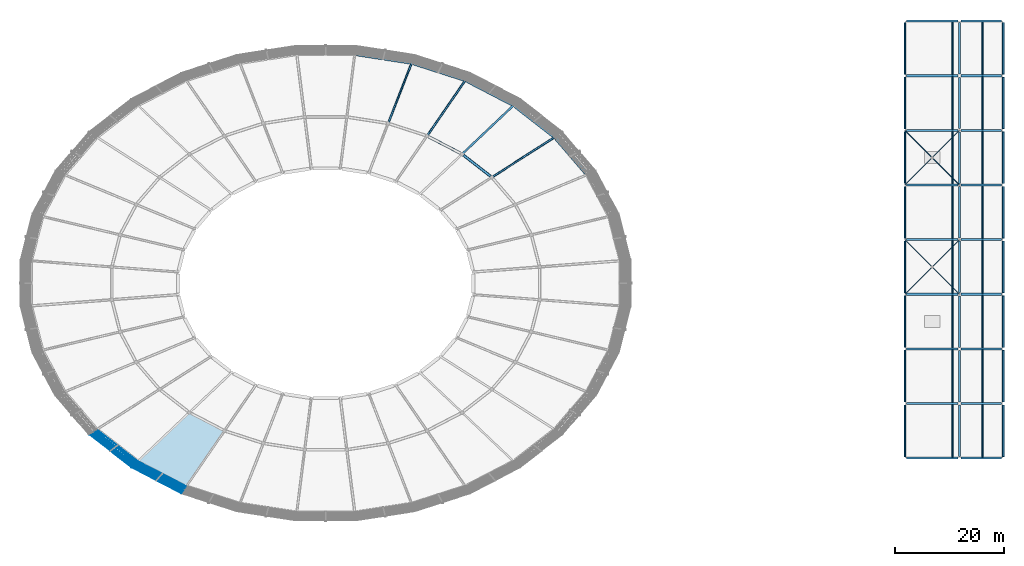
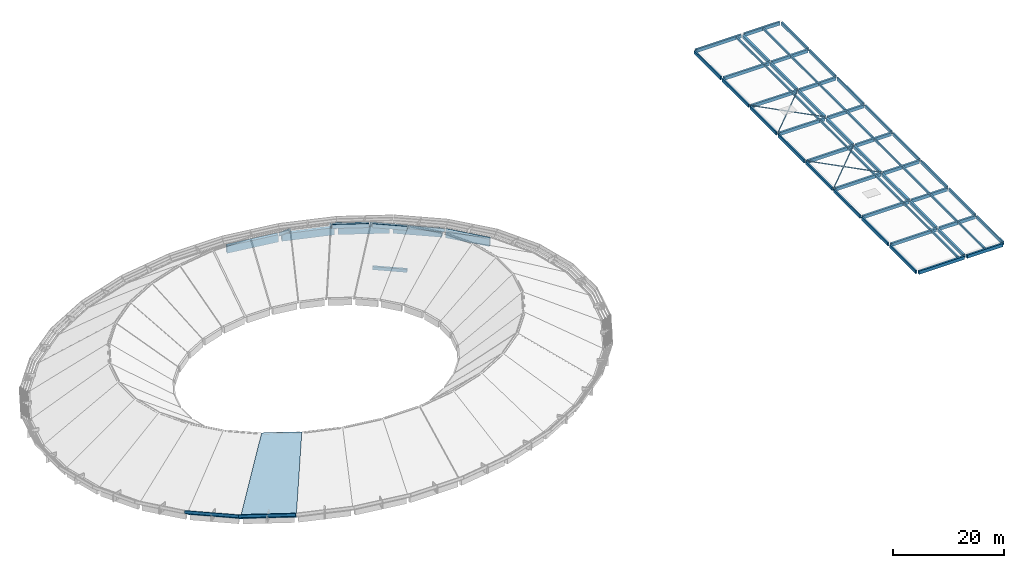
# One storey, part 4 of 15: 70 beams, 10 plates, 6 members, 1 slab.
"""IFC4 building model written with IfcOpenShell, lengths in metres."""

from ifc_helpers import new_model, si_unit, direction, frame, origin, origin_2d, place, context, subcontext, project, spatial, polyline, rectangle, hollow_circle, outline, extrude, material, layer, layer_set, material_profile, profile_set, type_object, element, save


model = new_model("IFC4")

# Units and contexts
model_context = context("Model", 3, precision=1e-05, world=origin(), true_north=direction((0.0, 1.0)))
body_context = subcontext(model_context, "Body", "Model", "MODEL_VIEW")
ifc_project = project(units=[si_unit("LENGTHUNIT", "METRE"), si_unit("AREAUNIT", "SQUARE_METRE"), si_unit("VOLUMEUNIT", "CUBIC_METRE"), si_unit("PLANEANGLEUNIT", "RADIAN"), si_unit("MASSUNIT", "GRAM", prefix="KILO")], contexts=[model_context])

# Site, building, storey
site_placement = place(None, origin())
site = spatial("IfcSite", under=ifc_project, at=site_placement, CompositionType="ELEMENT")
building_placement = place(site_placement, origin())
building = spatial("IfcBuilding", under=site, at=building_placement, Name="Corvandel Quay Wholesale Market", CompositionType="ELEMENT")
storey_placement = place(building_placement, frame((0.0, 0.0, 19.199951171875)))
storey = spatial("IfcBuildingStorey", under=building, at=storey_placement, Name="RF", CompositionType="ELEMENT", Elevation=19.199951171875)

# Members
ifc_material_1 = material(Name="Steel A500 Grade C", Category="steel")
ifc_material_profile_1 = material_profile(ifc_material_1, hollow_circle(Radius=0.070556640625, WallThickness=0.006103515625, at=origin_2d()), Name="HSS5.563X0.258")
ifc_profile_set_1 = profile_set([ifc_material_profile_1], Name="Steel A500 Grade C")
member_type = type_object("IfcMemberType", Name="Clerestory Lateral Brace BR07 CHS141", PredefinedType="BRACE", material=ifc_profile_set_1)
member_1_placement = place(storey_placement, frame((220.0, 40.0, -0.25), z_axis=(0.707106781187, 0.707106781187, 0.0), x_axis=(-0.707106781187, 0.707106781187, 0.0)))
element("IfcMember", 1, at=member_1_placement, inside=storey, type_object=member_type, Name="Member MEM-0133", PredefinedType="BRACE", context=body_context, shape_type="SweptSolid", body=[
    extrude(hollow_circle(Radius=0.070556640625, WallThickness=0.006103515625, at=origin_2d()), origin(), (0.0, 0.0, 1.0), 14.14208984375),
])
for number, where, z_axis, x_axis, name in (
    (2, (230.0, 40.0, -0.25), (-0.707106781187, 0.707106781187, 0.0), (-0.707106781187, -0.707106781187, 0.0), "Member MEM-0134"),
    (3, (224.932861328125, 45.067138671875, -0.25), (-0.707106781187, 0.707106781187, 0.0), (-0.707106781187, -0.707106781187, 0.0), "Member MEM-0134B"),
):
    element("IfcMember", number, at=place(storey_placement, frame(where, z_axis=z_axis, x_axis=x_axis)), inside=storey, type_object=member_type, Name=name, PredefinedType="BRACE", context=body_context, shape_type="SweptSolid", body=[
        extrude(hollow_circle(Radius=0.070556640625, WallThickness=0.006103515625, at=origin_2d()), origin(), (0.0, 0.0, 1.0), 6.97607421875),
    ])
member_2_placement = place(storey_placement, frame((220.0, 60.0, -0.25), z_axis=(0.707106781187, 0.707106781187, 0.0), x_axis=(-0.707106781187, 0.707106781187, 0.0)))
element("IfcMember", 4, at=member_2_placement, inside=storey, type_object=member_type, Name="Member MEM-0135", PredefinedType="BRACE", context=body_context, shape_type="SweptSolid", body=[
    extrude(hollow_circle(Radius=0.070556640625, WallThickness=0.006103515625, at=origin_2d()), origin(), (0.0, 0.0, 1.0), 14.14208984375),
])
for number, where, z_axis, x_axis, name in (
    (5, (230.0, 60.0, -0.25), (-0.707106781187, 0.707106781187, 0.0), (-0.707106781187, -0.707106781187, 0.0), "Member MEM-0136"),
    (6, (224.932861328125, 65.067138671875, -0.25), (-0.707106781187, 0.707106781187, 0.0), (-0.707106781187, -0.707106781187, 0.0), "Member MEM-0136B"),
):
    element("IfcMember", number, at=place(storey_placement, frame(where, z_axis=z_axis, x_axis=x_axis)), inside=storey, type_object=member_type, Name=name, PredefinedType="BRACE", context=body_context, shape_type="SweptSolid", body=[
        extrude(hollow_circle(Radius=0.070556640625, WallThickness=0.006103515625, at=origin_2d()), origin(), (0.0, 0.0, 1.0), 6.97607421875),
    ])

# Beams
ifc_material_2 = material(Name="Precast concrete C45/55", Category="concrete")
ifc_material_profile_2 = material_profile(ifc_material_2, rectangle(XDim=0.64990234375, YDim=1.60009765625, at=origin_2d()), Name="PC-RING-650x1600")
ifc_profile_set_2 = profile_set([ifc_material_profile_2], Name="Precast concrete C45/55")
beam_type_1 = type_object("IfcBeamType", Name="Outer Elliptical Shell Ring Beam RB01 650x1600", PredefinedType="USERDEFINED", material=ifc_profile_set_2)
beam_1_placement = place(storey_placement, frame((161.629150390625, 62.15576171875, -5.0), z_axis=(-0.651594924137, 0.758567106352, 0.0), x_axis=(-0.758567106352, -0.651594924137, 0.0)))
element("IfcBeam", 7, at=beam_1_placement, inside=storey, type_object=beam_type_1, Name="Beam BM-0037", ObjectType="GIRDER", PredefinedType="USERDEFINED", context=body_context, shape_type="SweptSolid", body=[
    extrude(rectangle(XDim=0.64990234375, YDim=1.60009765625, at=origin_2d()), origin(), (0.0, 0.0, 1.0), 8.378173828125),
])
beam_2_placement = place(storey_placement, frame((155.672607421875, 68.98486328125, -5.0), z_axis=(-0.789326934586, 0.613973118578, 0.0), x_axis=(-0.613973118578, -0.789326934586, 0.0)))
element("IfcBeam", 8, at=beam_2_placement, inside=storey, type_object=beam_type_1, Name="Beam BM-0050", ObjectType="GIRDER", PredefinedType="USERDEFINED", context=body_context, shape_type="SweptSolid", body=[
    extrude(rectangle(XDim=0.64990234375, YDim=1.60009765625, at=origin_2d()), origin(), (0.0, 0.0, 1.0), 8.839599609375),
])
beam_3_placement = place(storey_placement, frame((148.116943359375, 74.783203125, -5.0), z_axis=(-0.887349906091, 0.461096675503, 0.0), x_axis=(-0.461096675503, -0.887349906091, 0.0)))
element("IfcBeam", 9, at=beam_3_placement, inside=storey, type_object=beam_type_1, Name="Beam BM-0063", ObjectType="GIRDER", PredefinedType="USERDEFINED", context=body_context, shape_type="SweptSolid", body=[
    extrude(rectangle(XDim=0.64990234375, YDim=1.60009765625, at=origin_2d()), origin(), (0.0, 0.0, 1.0), 9.277099609375),
])
beam_4_placement = place(storey_placement, frame((139.25048828125, 79.32568359375, -5.0), z_axis=(-0.951825090042, 0.306641481158, 0.0), x_axis=(-0.306641481158, -0.951825090042, 0.0)))
element("IfcBeam", 10, at=beam_4_placement, inside=storey, type_object=beam_type_1, Name="Beam BM-0075", ObjectType="GIRDER", PredefinedType="USERDEFINED", context=body_context, shape_type="SweptSolid", body=[
    extrude(rectangle(XDim=0.64990234375, YDim=1.60009765625, at=origin_2d()), origin(), (0.0, 0.0, 1.0), 9.63525390625),
])
beam_5_placement = place(storey_placement, frame((129.41015625, 82.438720703125, -5.0), z_axis=(-0.988241749204, 0.152899460859, 0.0), x_axis=(-0.152899460859, -0.988241749204, 0.0)))
element("IfcBeam", 11, at=beam_5_placement, inside=storey, type_object=beam_type_1, Name="Beam BM-0088", ObjectType="GIRDER", PredefinedType="USERDEFINED", context=body_context, shape_type="SweptSolid", body=[
    extrude(rectangle(XDim=0.64990234375, YDim=1.60009765625, at=origin_2d()), origin(), (0.0, 0.0, 1.0), 9.8662109375),
])
ifc_material_profile_3 = material_profile(ifc_material_2, rectangle(XDim=0.35009765625, YDim=0.699951171875, at=origin_2d()), Name="PC-RIB-350x700")
ifc_profile_set_3 = profile_set([ifc_material_profile_3], Name="Precast concrete C45/55")
beam_type_2 = type_object("IfcBeamType", Name="Primary Radial Shell Arch Rib AR01 350x700", PredefinedType="BEAM", material=ifc_profile_set_3)
beam_6_placement = place(storey_placement, frame((148.423095703125, 74.6240234375, -4.52001953125), z_axis=(-0.591802925722, -0.560910058994, 0.578920722402), x_axis=(0.687909221922, -0.72579673628, 0.0)))
element("IfcBeam", 12, at=beam_6_placement, inside=storey, type_object=beam_type_2, Name="Beam BM-0407", PredefinedType="BEAM", context=body_context, shape_type="SweptSolid", body=[
    extrude(rectangle(XDim=0.35009765625, YDim=0.699951171875, at=origin_2d()), origin(), (0.0, 0.0, 1.0), 15.995361328125),
])
ifc_material_profile_4 = material_profile(ifc_material_2, rectangle(XDim=0.39990234375, YDim=0.699951171875, at=origin_2d()), Name="PC-GIR-400x700")
ifc_profile_set_4 = profile_set([ifc_material_profile_4], Name="Precast concrete C45/55")
beam_type_3 = type_object("IfcBeamType", Name="Roof Deck Primary Girder G07 400x700", PredefinedType="USERDEFINED", material=ifc_profile_set_4)
beam_7_placement = place(storey_placement, frame((144.157470703125, 61.607421875, -4.75), z_axis=(-0.789360606532, 0.613929827305, 0.0), x_axis=(-0.613929827305, -0.789360606532, 0.0)))
element("IfcBeam", 13, at=beam_7_placement, inside=storey, type_object=beam_type_3, Name="Beam BM-0052", ObjectType="GIRDER", PredefinedType="USERDEFINED", context=body_context, shape_type="SweptSolid", body=[
    extrude(rectangle(XDim=0.39990234375, YDim=0.699951171875, at=origin_2d()), origin(), (0.0, 0.0, 1.0), 6.26806640625),
])
beam_8_placement = place(storey_placement, frame((220.294921875, 10.0, -0.550048828125), z_axis=(1.0, 0.0, 0.0), x_axis=(0.0, 1.0, 0.0)))
element("IfcBeam", 14, at=beam_8_placement, inside=storey, type_object=beam_type_3, Name="Beam BM-1696", ObjectType="GIRDER", PredefinedType="USERDEFINED", context=body_context, shape_type="SweptSolid", body=[
    extrude(rectangle(XDim=0.39990234375, YDim=0.699951171875, at=origin_2d()), origin(), (0.0, 0.0, 1.0), 9.41015625),
])
beam_9_placement = place(storey_placement, frame((230.294921875, 10.0, -0.550048828125), z_axis=(1.0, 0.0, 0.0), x_axis=(0.0, 1.0, 0.0)))
element("IfcBeam", 15, at=beam_9_placement, inside=storey, type_object=beam_type_3, Name="Beam BM-1697", ObjectType="GIRDER", PredefinedType="USERDEFINED", context=body_context, shape_type="SweptSolid", body=[
    extrude(rectangle(XDim=0.39990234375, YDim=0.699951171875, at=origin_2d()), origin(), (0.0, 0.0, 1.0), 7.41015625),
])
beam_10_placement = place(storey_placement, frame((220.294921875, 20.0, -0.550048828125), z_axis=(1.0, 0.0, 0.0), x_axis=(0.0, 1.0, 0.0)))
element("IfcBeam", 16, at=beam_10_placement, inside=storey, type_object=beam_type_3, Name="Beam BM-1698", ObjectType="GIRDER", PredefinedType="USERDEFINED", context=body_context, shape_type="SweptSolid", body=[
    extrude(rectangle(XDim=0.39990234375, YDim=0.699951171875, at=origin_2d()), origin(), (0.0, 0.0, 1.0), 9.41015625),
])
beam_11_placement = place(storey_placement, frame((230.294921875, 20.0, -0.550048828125), z_axis=(1.0, 0.0, 0.0), x_axis=(0.0, 1.0, 0.0)))
element("IfcBeam", 17, at=beam_11_placement, inside=storey, type_object=beam_type_3, Name="Beam BM-1699", ObjectType="GIRDER", PredefinedType="USERDEFINED", context=body_context, shape_type="SweptSolid", body=[
    extrude(rectangle(XDim=0.39990234375, YDim=0.699951171875, at=origin_2d()), origin(), (0.0, 0.0, 1.0), 7.41015625),
])
beam_12_placement = place(storey_placement, frame((220.294921875, 30.0, -0.550048828125), z_axis=(1.0, 0.0, 0.0), x_axis=(0.0, 1.0, 0.0)))
element("IfcBeam", 18, at=beam_12_placement, inside=storey, type_object=beam_type_3, Name="Beam BM-1700", ObjectType="GIRDER", PredefinedType="USERDEFINED", context=body_context, shape_type="SweptSolid", body=[
    extrude(rectangle(XDim=0.39990234375, YDim=0.699951171875, at=origin_2d()), origin(), (0.0, 0.0, 1.0), 9.41015625),
])
beam_13_placement = place(storey_placement, frame((230.294921875, 30.0, -0.550048828125), z_axis=(1.0, 0.0, 0.0), x_axis=(0.0, 1.0, 0.0)))
element("IfcBeam", 19, at=beam_13_placement, inside=storey, type_object=beam_type_3, Name="Beam BM-1701", ObjectType="GIRDER", PredefinedType="USERDEFINED", context=body_context, shape_type="SweptSolid", body=[
    extrude(rectangle(XDim=0.39990234375, YDim=0.699951171875, at=origin_2d()), origin(), (0.0, 0.0, 1.0), 7.41015625),
])
beam_14_placement = place(storey_placement, frame((220.294921875, 40.0, -0.550048828125), z_axis=(1.0, 0.0, 0.0), x_axis=(0.0, 1.0, 0.0)))
element("IfcBeam", 20, at=beam_14_placement, inside=storey, type_object=beam_type_3, Name="Beam BM-1702", ObjectType="GIRDER", PredefinedType="USERDEFINED", context=body_context, shape_type="SweptSolid", body=[
    extrude(rectangle(XDim=0.39990234375, YDim=0.699951171875, at=origin_2d()), origin(), (0.0, 0.0, 1.0), 9.41015625),
])
beam_15_placement = place(storey_placement, frame((230.294921875, 40.0, -0.550048828125), z_axis=(1.0, 0.0, 0.0), x_axis=(0.0, 1.0, 0.0)))
element("IfcBeam", 21, at=beam_15_placement, inside=storey, type_object=beam_type_3, Name="Beam BM-1703", ObjectType="GIRDER", PredefinedType="USERDEFINED", context=body_context, shape_type="SweptSolid", body=[
    extrude(rectangle(XDim=0.39990234375, YDim=0.699951171875, at=origin_2d()), origin(), (0.0, 0.0, 1.0), 7.41015625),
])
beam_16_placement = place(storey_placement, frame((220.294921875, 50.0, -0.550048828125), z_axis=(1.0, 0.0, 0.0), x_axis=(0.0, 1.0, 0.0)))
element("IfcBeam", 22, at=beam_16_placement, inside=storey, type_object=beam_type_3, Name="Beam BM-1704", ObjectType="GIRDER", PredefinedType="USERDEFINED", context=body_context, shape_type="SweptSolid", body=[
    extrude(rectangle(XDim=0.39990234375, YDim=0.699951171875, at=origin_2d()), origin(), (0.0, 0.0, 1.0), 9.41015625),
])
beam_17_placement = place(storey_placement, frame((230.294921875, 50.0, -0.550048828125), z_axis=(1.0, 0.0, 0.0), x_axis=(0.0, 1.0, 0.0)))
element("IfcBeam", 23, at=beam_17_placement, inside=storey, type_object=beam_type_3, Name="Beam BM-1705", ObjectType="GIRDER", PredefinedType="USERDEFINED", context=body_context, shape_type="SweptSolid", body=[
    extrude(rectangle(XDim=0.39990234375, YDim=0.699951171875, at=origin_2d()), origin(), (0.0, 0.0, 1.0), 7.41015625),
])
beam_18_placement = place(storey_placement, frame((220.294921875, 60.0, -0.550048828125), z_axis=(1.0, 0.0, 0.0), x_axis=(0.0, 1.0, 0.0)))
element("IfcBeam", 24, at=beam_18_placement, inside=storey, type_object=beam_type_3, Name="Beam BM-1706", ObjectType="GIRDER", PredefinedType="USERDEFINED", context=body_context, shape_type="SweptSolid", body=[
    extrude(rectangle(XDim=0.39990234375, YDim=0.699951171875, at=origin_2d()), origin(), (0.0, 0.0, 1.0), 9.41015625),
])
beam_19_placement = place(storey_placement, frame((230.294921875, 60.0, -0.550048828125), z_axis=(1.0, 0.0, 0.0), x_axis=(0.0, 1.0, 0.0)))
element("IfcBeam", 25, at=beam_19_placement, inside=storey, type_object=beam_type_3, Name="Beam BM-1707", ObjectType="GIRDER", PredefinedType="USERDEFINED", context=body_context, shape_type="SweptSolid", body=[
    extrude(rectangle(XDim=0.39990234375, YDim=0.699951171875, at=origin_2d()), origin(), (0.0, 0.0, 1.0), 7.41015625),
])
beam_20_placement = place(storey_placement, frame((220.294921875, 70.0, -0.550048828125), z_axis=(1.0, 0.0, 0.0), x_axis=(0.0, 1.0, 0.0)))
element("IfcBeam", 26, at=beam_20_placement, inside=storey, type_object=beam_type_3, Name="Beam BM-1708", ObjectType="GIRDER", PredefinedType="USERDEFINED", context=body_context, shape_type="SweptSolid", body=[
    extrude(rectangle(XDim=0.39990234375, YDim=0.699951171875, at=origin_2d()), origin(), (0.0, 0.0, 1.0), 9.41015625),
])
beam_21_placement = place(storey_placement, frame((230.294921875, 70.0, -0.550048828125), z_axis=(1.0, 0.0, 0.0), x_axis=(0.0, 1.0, 0.0)))
element("IfcBeam", 27, at=beam_21_placement, inside=storey, type_object=beam_type_3, Name="Beam BM-1709", ObjectType="GIRDER", PredefinedType="USERDEFINED", context=body_context, shape_type="SweptSolid", body=[
    extrude(rectangle(XDim=0.39990234375, YDim=0.699951171875, at=origin_2d()), origin(), (0.0, 0.0, 1.0), 7.41015625),
])
beam_22_placement = place(storey_placement, frame((220.294921875, 80.0, -0.550048828125), z_axis=(1.0, 0.0, 0.0), x_axis=(0.0, 1.0, 0.0)))
element("IfcBeam", 28, at=beam_22_placement, inside=storey, type_object=beam_type_3, Name="Beam BM-1710", ObjectType="GIRDER", PredefinedType="USERDEFINED", context=body_context, shape_type="SweptSolid", body=[
    extrude(rectangle(XDim=0.39990234375, YDim=0.699951171875, at=origin_2d()), origin(), (0.0, 0.0, 1.0), 9.41015625),
])
beam_23_placement = place(storey_placement, frame((230.294921875, 80.0, -0.550048828125), z_axis=(1.0, 0.0, 0.0), x_axis=(0.0, 1.0, 0.0)))
element("IfcBeam", 29, at=beam_23_placement, inside=storey, type_object=beam_type_3, Name="Beam BM-1711", ObjectType="GIRDER", PredefinedType="USERDEFINED", context=body_context, shape_type="SweptSolid", body=[
    extrude(rectangle(XDim=0.39990234375, YDim=0.699951171875, at=origin_2d()), origin(), (0.0, 0.0, 1.0), 7.41015625),
])
beam_24_placement = place(storey_placement, frame((220.294921875, 90.0, -0.550048828125), z_axis=(1.0, 0.0, 0.0), x_axis=(0.0, 1.0, 0.0)))
element("IfcBeam", 30, at=beam_24_placement, inside=storey, type_object=beam_type_3, Name="Beam BM-1712", ObjectType="GIRDER", PredefinedType="USERDEFINED", context=body_context, shape_type="SweptSolid", body=[
    extrude(rectangle(XDim=0.39990234375, YDim=0.699951171875, at=origin_2d()), origin(), (0.0, 0.0, 1.0), 9.41015625),
])
beam_25_placement = place(storey_placement, frame((230.294921875, 90.0, -0.550048828125), z_axis=(1.0, 0.0, 0.0), x_axis=(0.0, 1.0, 0.0)))
element("IfcBeam", 31, at=beam_25_placement, inside=storey, type_object=beam_type_3, Name="Beam BM-1713", ObjectType="GIRDER", PredefinedType="USERDEFINED", context=body_context, shape_type="SweptSolid", body=[
    extrude(rectangle(XDim=0.39990234375, YDim=0.699951171875, at=origin_2d()), origin(), (0.0, 0.0, 1.0), 7.41015625),
])
for number, where, z_axis, x_axis, name in (
    (32, (230.0, 10.294921875, -0.550048828125), (0.0, 1.0, 0.0), (-1.0, 0.0, 0.0), "Beam BM-1722"),
    (33, (230.0, 20.294921875, -0.550048828125), (0.0, 1.0, 0.0), (-1.0, 0.0, 0.0), "Beam BM-1723"),
    (34, (230.0, 30.294921875, -0.550048828125), (0.0, 1.0, 0.0), (-1.0, 0.0, 0.0), "Beam BM-1724"),
    (35, (230.0, 40.294921875, -0.550048828125), (0.0, 1.0, 0.0), (-1.0, 0.0, 0.0), "Beam BM-1725"),
    (36, (230.0, 50.294921875, -0.550048828125), (0.0, 1.0, 0.0), (-1.0, 0.0, 0.0), "Beam BM-1726"),
    (37, (230.0, 60.294921875, -0.550048828125), (0.0, 1.0, 0.0), (-1.0, 0.0, 0.0), "Beam BM-1727"),
    (38, (230.0, 70.294921875, -0.550048828125), (0.0, 1.0, 0.0), (-1.0, 0.0, 0.0), "Beam BM-1728"),
    (39, (230.0, 80.294921875, -0.550048828125), (0.0, 1.0, 0.0), (-1.0, 0.0, 0.0), "Beam BM-1729"),
):
    element("IfcBeam", number, at=place(storey_placement, frame(where, z_axis=z_axis, x_axis=x_axis)), inside=storey, type_object=beam_type_3, Name=name, ObjectType="GIRDER", PredefinedType="USERDEFINED", context=body_context, shape_type="SweptSolid", body=[
        extrude(rectangle(XDim=0.39990234375, YDim=0.699951171875, at=origin_2d()), origin(), (0.0, 0.0, 1.0), 9.41015625),
    ])
ifc_material_profile_5 = material_profile(ifc_material_2, rectangle(XDim=0.280029296875, YDim=0.449951171875, at=origin_2d()), Name="PC-BM-280x450")
ifc_profile_set_5 = profile_set([ifc_material_profile_5], Name="Precast concrete C45/55")
beam_type_4 = type_object("IfcBeamType", Name="Roof Secondary Beam B05 280x450", PredefinedType="BEAM", material=ifc_profile_set_5)
for number, where, z_axis, x_axis, name in (
    (40, (228.699951171875, 10.18994140625, -0.425048828125), (0.0, 1.0, 0.0), (-1.0, 0.0, 0.0), "Beam BM-1738"),
    (41, (234.199951171875, 10.18994140625, -0.425048828125), (0.0, 1.0, 0.0), (-1.0, 0.0, 0.0), "Beam BM-1739"),
    (42, (228.699951171875, 20.18994140625, -0.425048828125), (0.0, 1.0, 0.0), (-1.0, 0.0, 0.0), "Beam BM-1740"),
    (43, (234.199951171875, 20.18994140625, -0.425048828125), (0.0, 1.0, 0.0), (-1.0, 0.0, 0.0), "Beam BM-1741"),
    (44, (228.699951171875, 30.18994140625, -0.425048828125), (0.0, 1.0, 0.0), (-1.0, 0.0, 0.0), "Beam BM-1742"),
    (45, (234.199951171875, 30.18994140625, -0.425048828125), (0.0, 1.0, 0.0), (-1.0, 0.0, 0.0), "Beam BM-1743"),
    (46, (228.699951171875, 40.18994140625, -0.425048828125), (0.0, 1.0, 0.0), (-1.0, 0.0, 0.0), "Beam BM-1744"),
    (47, (234.199951171875, 40.18994140625, -0.425048828125), (0.0, 1.0, 0.0), (-1.0, 0.0, 0.0), "Beam BM-1745"),
    (48, (228.699951171875, 50.18994140625, -0.425048828125), (0.0, 1.0, 0.0), (-1.0, 0.0, 0.0), "Beam BM-1746"),
    (49, (234.199951171875, 50.18994140625, -0.425048828125), (0.0, 1.0, 0.0), (-1.0, 0.0, 0.0), "Beam BM-1747"),
    (50, (228.699951171875, 60.18994140625, -0.425048828125), (0.0, 1.0, 0.0), (-1.0, 0.0, 0.0), "Beam BM-1748"),
    (51, (234.199951171875, 60.18994140625, -0.425048828125), (0.0, 1.0, 0.0), (-1.0, 0.0, 0.0), "Beam BM-1749"),
    (52, (228.699951171875, 70.18994140625, -0.425048828125), (0.0, 1.0, 0.0), (-1.0, 0.0, 0.0), "Beam BM-1750"),
    (53, (234.199951171875, 70.18994140625, -0.425048828125), (0.0, 1.0, 0.0), (-1.0, 0.0, 0.0), "Beam BM-1751"),
    (54, (228.699951171875, 80.18994140625, -0.425048828125), (0.0, 1.0, 0.0), (-1.0, 0.0, 0.0), "Beam BM-1752"),
    (55, (234.199951171875, 80.18994140625, -0.425048828125), (0.0, 1.0, 0.0), (-1.0, 0.0, 0.0), "Beam BM-1753"),
):
    element("IfcBeam", number, at=place(storey_placement, frame(where, z_axis=z_axis, x_axis=x_axis)), inside=storey, type_object=beam_type_4, Name=name, PredefinedType="BEAM", context=body_context, shape_type="SweptSolid", body=[
        extrude(rectangle(XDim=0.280029296875, YDim=0.449951171875, at=origin_2d()), origin(), (0.0, 0.0, 1.0), 9.6201171875),
    ])
ifc_material_profile_6 = material_profile(ifc_material_2, rectangle(XDim=0.300048828125, YDim=0.60009765625, at=origin_2d()), Name="PC-RIB-300x600")
ifc_profile_set_6 = profile_set([ifc_material_profile_6], Name="Precast concrete C45/55")
beam_type_5 = type_object("IfcBeamType", Name="Secondary Radial Shell Arch Rib AR02 300x600", PredefinedType="BEAM", material=ifc_profile_set_6)
beam_26_placement = place(storey_placement, frame((155.945068359375, 68.77294921875, -4.469970703125), z_axis=(-0.698129767083, -0.445566016051, 0.560433540799), x_axis=(0.537993647412, -0.842948892486, 0.0)))
element("IfcBeam", 56, at=beam_26_placement, inside=storey, type_object=beam_type_5, Name="Beam BM-0404", PredefinedType="BEAM", context=body_context, shape_type="SweptSolid", body=[
    extrude(rectangle(XDim=0.300048828125, YDim=0.60009765625, at=origin_2d()), origin(), (0.0, 0.0, 1.0), 16.52294921875),
])
beam_27_placement = place(storey_placement, frame((139.5791015625, 79.219970703125, -4.469970703125), z_axis=(-0.454099768617, -0.66071075093, 0.597707874926), x_axis=(0.824122782292, -0.566411193134, 0.0)))
element("IfcBeam", 57, at=beam_27_placement, inside=storey, type_object=beam_type_5, Name="Beam BM-0410", PredefinedType="BEAM", context=body_context, shape_type="SweptSolid", body=[
    extrude(rectangle(XDim=0.300048828125, YDim=0.60009765625, at=origin_2d()), origin(), (0.0, 0.0, 1.0), 15.492431640625),
])
beam_28_placement = place(storey_placement, frame((129.7509765625, 82.385986328125, -4.469970703125), z_axis=(-0.286926700723, -0.735755107998, 0.613463519263), x_axis=(0.931662181127, -0.363325721987, 0.0)))
element("IfcBeam", 58, at=beam_28_placement, inside=storey, type_object=beam_type_5, Name="Beam BM-0413", PredefinedType="BEAM", context=body_context, shape_type="SweptSolid", body=[
    extrude(rectangle(XDim=0.300048828125, YDim=0.60009765625, at=origin_2d()), origin(), (0.0, 0.0, 1.0), 15.0947265625),
])
ifc_material_profile_7 = material_profile(ifc_material_2, rectangle(XDim=0.5, YDim=0.89990234375, at=origin_2d()), Name="PC-RING-500x900")
ifc_profile_set_7 = profile_set([ifc_material_profile_7], Name="Precast concrete C45/55")
beam_type_6 = type_object("IfcBeamType", Name="Shell Crown Compression Ring RB03 500x900", PredefinedType="USERDEFINED", material=ifc_profile_set_7)
beam_29_placement = place(storey_placement, frame((144.157470703125, 61.607421875, 4.610107421875), z_axis=(-0.789360606532, 0.613929827305, 0.0), x_axis=(-0.613929827305, -0.789360606532, 0.0)))
element("IfcBeam", 59, at=beam_29_placement, inside=storey, type_object=beam_type_6, Name="Beam BM-0403", ObjectType="GIRDER", PredefinedType="USERDEFINED", context=body_context, shape_type="SweptSolid", body=[
    extrude(rectangle(XDim=0.5, YDim=0.89990234375, at=origin_2d()), origin(), (0.0, 0.0, 1.0), 6.26806640625),
])
beam_30_placement = place(storey_placement, frame((138.673095703125, 65.799560546875, 4.610107421875), z_axis=(-0.88738119792, 0.461036451463, 0.0), x_axis=(-0.461036451463, -0.88738119792, 0.0)))
element("IfcBeam", 60, at=beam_30_placement, inside=storey, type_object=beam_type_6, Name="Beam BM-0406", ObjectType="GIRDER", PredefinedType="USERDEFINED", context=body_context, shape_type="SweptSolid", body=[
    extrude(rectangle(XDim=0.5, YDim=0.89990234375, at=origin_2d()), origin(), (0.0, 0.0, 1.0), 6.587158203125),
])
ifc_material_profile_8 = material_profile(ifc_material_2, rectangle(XDim=0.300048828125, YDim=0.699951171875, at=origin_2d()), Name="PC-SPN-300x700")
ifc_profile_set_8 = profile_set([ifc_material_profile_8], Name="Precast concrete C45/55")
beam_type_7 = type_object("IfcBeamType", Name="Terrace Edge Spandrel SP03 300x700", PredefinedType="SPANDREL", material=ifc_profile_set_8)
for number, where, z_axis, x_axis, name in (
    (61, (220.0, 10.294921875, -0.550048828125), (0.0, 1.0, 0.0), (-1.0, 0.0, 0.0), "Beam BM-1714"),
    (62, (220.0, 20.294921875, -0.550048828125), (0.0, 1.0, 0.0), (-1.0, 0.0, 0.0), "Beam BM-1715"),
    (63, (220.0, 30.294921875, -0.550048828125), (0.0, 1.0, 0.0), (-1.0, 0.0, 0.0), "Beam BM-1716"),
    (64, (220.0, 40.294921875, -0.550048828125), (0.0, 1.0, 0.0), (-1.0, 0.0, 0.0), "Beam BM-1717"),
    (65, (220.0, 50.294921875, -0.550048828125), (0.0, 1.0, 0.0), (-1.0, 0.0, 0.0), "Beam BM-1718"),
    (66, (220.0, 60.294921875, -0.550048828125), (0.0, 1.0, 0.0), (-1.0, 0.0, 0.0), "Beam BM-1719"),
    (67, (220.0, 70.294921875, -0.550048828125), (0.0, 1.0, 0.0), (-1.0, 0.0, 0.0), "Beam BM-1720"),
    (68, (220.0, 80.294921875, -0.550048828125), (0.0, 1.0, 0.0), (-1.0, 0.0, 0.0), "Beam BM-1721"),
    (69, (238.0, 10.294921875, -0.550048828125), (0.0, 1.0, 0.0), (-1.0, 0.0, 0.0), "Beam BM-1730"),
    (70, (238.0, 20.294921875, -0.550048828125), (0.0, 1.0, 0.0), (-1.0, 0.0, 0.0), "Beam BM-1731"),
    (71, (238.0, 30.294921875, -0.550048828125), (0.0, 1.0, 0.0), (-1.0, 0.0, 0.0), "Beam BM-1732"),
    (72, (238.0, 40.294921875, -0.550048828125), (0.0, 1.0, 0.0), (-1.0, 0.0, 0.0), "Beam BM-1733"),
    (73, (238.0, 50.294921875, -0.550048828125), (0.0, 1.0, 0.0), (-1.0, 0.0, 0.0), "Beam BM-1734"),
    (74, (238.0, 60.294921875, -0.550048828125), (0.0, 1.0, 0.0), (-1.0, 0.0, 0.0), "Beam BM-1735"),
    (75, (238.0, 70.294921875, -0.550048828125), (0.0, 1.0, 0.0), (-1.0, 0.0, 0.0), "Beam BM-1736"),
    (76, (238.0, 80.294921875, -0.550048828125), (0.0, 1.0, 0.0), (-1.0, 0.0, 0.0), "Beam BM-1737"),
):
    element("IfcBeam", number, at=place(storey_placement, frame(where, z_axis=z_axis, x_axis=x_axis)), inside=storey, type_object=beam_type_7, Name=name, PredefinedType="SPANDREL", context=body_context, shape_type="SweptSolid", body=[
        extrude(rectangle(XDim=0.300048828125, YDim=0.699951171875, at=origin_2d()), origin(), (0.0, 0.0, 1.0), 9.41015625),
    ])

# Plates
ifc_material_3 = material(Name="Architectural white precast concrete C45/55", Category="concrete")
ifc_layer_1 = layer(ifc_material_3, 0.090087890625)
ifc_layer_set_1 = layer_set([ifc_layer_1], Name="Architectural white precast concrete C45/55")
plate_type_1 = type_object("IfcPlateType", Name="Stepped White Precast Shell Fascia Band FP01", PredefinedType="SHEET", material=ifc_layer_set_1)
plate_1_placement = place(storey_placement, frame((75.81591796875, 12.301513671875, -4.8798828125), z_axis=(0.0, 0.0, 1.0), x_axis=(-0.789298462742, 0.614009720373, 0.0)))
element("IfcPlate", 77, at=plate_1_placement, inside=storey, type_object=plate_type_1, Name="Stepped Shell Rim Fascia FP-0020", PredefinedType="SHEET", context=body_context, shape_type="SweptSolid", body=[
    extrude(rectangle(XDim=9.469970703125, YDim=0.090087890625, at=origin_2d()), origin(), (0.0, 0.0, 1.0), 0.4599609375),
])
plate_2_placement = place(storey_placement, frame((83.9990234375, 7.077880859375, -4.8798828125), z_axis=(0.0, 0.0, 1.0), x_axis=(-0.887332978338, 0.461129250378, 0.0)))
element("IfcPlate", 78, at=plate_2_placement, inside=storey, type_object=plate_type_1, Name="Stepped Shell Rim Fascia FP-0021", PredefinedType="SHEET", context=body_context, shape_type="SweptSolid", body=[
    extrude(rectangle(XDim=9.906982421875, YDim=0.090087890625, at=origin_2d()), origin(), (0.0, 0.0, 1.0), 0.4599609375),
])
ifc_layer_2 = layer(ifc_material_3, 0.10009765625)
ifc_layer_set_2 = layer_set([ifc_layer_2], Name="Architectural white precast concrete C45/55")
plate_type_2 = type_object("IfcPlateType", Name="Stepped White Precast Shell Fascia Band FP02", PredefinedType="SHEET", material=ifc_layer_set_2)
plate_3_placement = place(storey_placement, frame((75.510986328125, 12.0634765625, -4.56005859375), z_axis=(0.0, 0.0, 1.0), x_axis=(-0.789405615633, 0.613871952452, 0.0)))
element("IfcPlate", 79, at=plate_3_placement, inside=storey, type_object=plate_type_2, Name="Stepped Shell Rim Fascia FP-0052", PredefinedType="SHEET", context=body_context, shape_type="SweptSolid", body=[
    extrude(rectangle(XDim=9.544921875, YDim=0.10009765625, at=origin_2d()), origin(), (0.0, 0.0, 1.0), 0.5),
])
plate_4_placement = place(storey_placement, frame((83.759521484375, 6.798583984375, -4.56005859375), z_axis=(0.0, 0.0, 1.0), x_axis=(-0.887332978338, 0.461129250378, 0.0)))
element("IfcPlate", 80, at=plate_4_placement, inside=storey, type_object=plate_type_2, Name="Stepped Shell Rim Fascia FP-0053", PredefinedType="SHEET", context=body_context, shape_type="SweptSolid", body=[
    extrude(rectangle(XDim=9.987060546875, YDim=0.10009765625, at=origin_2d()), origin(), (0.0, 0.0, 1.0), 0.5),
])
ifc_layer_3 = layer(ifc_material_3, 0.110107421875)
ifc_layer_set_3 = layer_set([ifc_layer_3], Name="Architectural white precast concrete C45/55")
plate_type_3 = type_object("IfcPlateType", Name="Stepped White Precast Shell Fascia Band FP03", PredefinedType="SHEET", material=ifc_layer_set_3)
plate_5_placement = place(storey_placement, frame((75.205078125, 11.825927734375, -4.239990234375), z_axis=(0.0, 0.0, 1.0), x_axis=(-0.789298462742, 0.614009720373, 0.0)))
element("IfcPlate", 81, at=plate_5_placement, inside=storey, type_object=plate_type_3, Name="Stepped Shell Rim Fascia FP-0084", PredefinedType="SHEET", context=body_context, shape_type="SweptSolid", body=[
    extrude(rectangle(XDim=9.62109375, YDim=0.110107421875, at=origin_2d()), origin(), (0.0, 0.0, 1.0), 0.5400390625),
])
plate_6_placement = place(storey_placement, frame((83.51904296875, 6.51953125, -4.239990234375), z_axis=(0.0, 0.0, 1.0), x_axis=(-0.887332978338, 0.461129250378, 0.0)))
element("IfcPlate", 82, at=plate_6_placement, inside=storey, type_object=plate_type_3, Name="Stepped Shell Rim Fascia FP-0085", PredefinedType="SHEET", context=body_context, shape_type="SweptSolid", body=[
    extrude(rectangle(XDim=10.06689453125, YDim=0.110107421875, at=origin_2d()), origin(), (0.0, 0.0, 1.0), 0.5400390625),
])
ifc_layer_4 = layer(ifc_material_3, 0.1201171875)
ifc_layer_set_4 = layer_set([ifc_layer_4], Name="Architectural white precast concrete C45/55")
plate_type_4 = type_object("IfcPlateType", Name="Stepped White Precast Shell Fascia Band FP04", PredefinedType="SHEET", material=ifc_layer_set_4)
plate_7_placement = place(storey_placement, frame((74.89990234375, 11.589111328125, -3.919921875), z_axis=(0.0, 0.0, 1.0), x_axis=(-0.789405615633, 0.613871952452, 0.0)))
element("IfcPlate", 83, at=plate_7_placement, inside=storey, type_object=plate_type_4, Name="Stepped Shell Rim Fascia FP-0116", PredefinedType="SHEET", context=body_context, shape_type="SweptSolid", body=[
    extrude(rectangle(XDim=9.697021484375, YDim=0.1201171875, at=origin_2d()), origin(), (0.0, 0.0, 1.0), 0.580078125),
])
plate_8_placement = place(storey_placement, frame((83.279541015625, 6.240478515625, -3.919921875), z_axis=(0.0, 0.0, 1.0), x_axis=(-0.887332978338, 0.461129250378, 0.0)))
element("IfcPlate", 84, at=plate_8_placement, inside=storey, type_object=plate_type_4, Name="Stepped Shell Rim Fascia FP-0117", PredefinedType="SHEET", context=body_context, shape_type="SweptSolid", body=[
    extrude(rectangle(XDim=10.14697265625, YDim=0.1201171875, at=origin_2d()), origin(), (0.0, 0.0, 1.0), 0.580078125),
])
ifc_layer_5 = layer(ifc_material_3, 0.1298828125)
ifc_layer_set_5 = layer_set([ifc_layer_5], Name="Architectural white precast concrete C45/55")
plate_type_5 = type_object("IfcPlateType", Name="Stepped White Precast Shell Fascia Band FP05", PredefinedType="SHEET", material=ifc_layer_set_5)
plate_9_placement = place(storey_placement, frame((74.593994140625, 11.3515625, -3.60009765625), z_axis=(0.0, 0.0, 1.0), x_axis=(-0.789405615633, 0.613871952452, 0.0)))
element("IfcPlate", 85, at=plate_9_placement, inside=storey, type_object=plate_type_5, Name="Stepped Shell Rim Fascia FP-0148", PredefinedType="SHEET", context=body_context, shape_type="SweptSolid", body=[
    extrude(rectangle(XDim=9.77294921875, YDim=0.1298828125, at=origin_2d()), origin(), (0.0, 0.0, 1.0), 0.6201171875),
])
plate_10_placement = place(storey_placement, frame((83.0390625, 5.9609375, -3.60009765625), z_axis=(0.0, 0.0, 1.0), x_axis=(-0.887332978338, 0.461129250378, 0.0)))
element("IfcPlate", 86, at=plate_10_placement, inside=storey, type_object=plate_type_5, Name="Stepped Shell Rim Fascia FP-0149", PredefinedType="SHEET", context=body_context, shape_type="SweptSolid", body=[
    extrude(rectangle(XDim=10.22705078125, YDim=0.1298828125, at=origin_2d()), origin(), (0.0, 0.0, 1.0), 0.6201171875),
])

# Slab
ifc_material_4 = material(Name="Concrete C40/50", Category="concrete")
ifc_layer_6 = layer(ifc_material_4, 0.139892578125)
ifc_layer_set_6 = layer_set([ifc_layer_6], Name="Concrete C40/50")
slab_type = type_object("IfcSlabType", Name="Thin Concrete Radial Shell Roof 140", PredefinedType="ROOF", material=ifc_layer_set_6)
slab_placement = place(storey_placement, frame((79.576904296875, 9.3759765625, -4.06005859375), z_axis=(-0.276939473151, -0.532975440245, 0.799525927226), x_axis=(0.887344754904, -0.461106587953, -2.2135352e-05)))
element("IfcSlab", 87, at=slab_placement, inside=storey, type_object=slab_type, Name="Radial Shell Roof SLB-0183", PredefinedType="ROOF", context=body_context, shape_type="SweptSolid", body=[
    extrude(outline(polyline([(0.0, 0.0), (9.966893375153198, 4.440892098500626e-16), (11.489371639910846, 15.417544535812464), (4.262444484729293, 15.41691088403648), (0.0, 0.0)])), origin(), (0.0, 0.0, -1.0), 0.139892578125),
])

save(model, "model.ifc")
